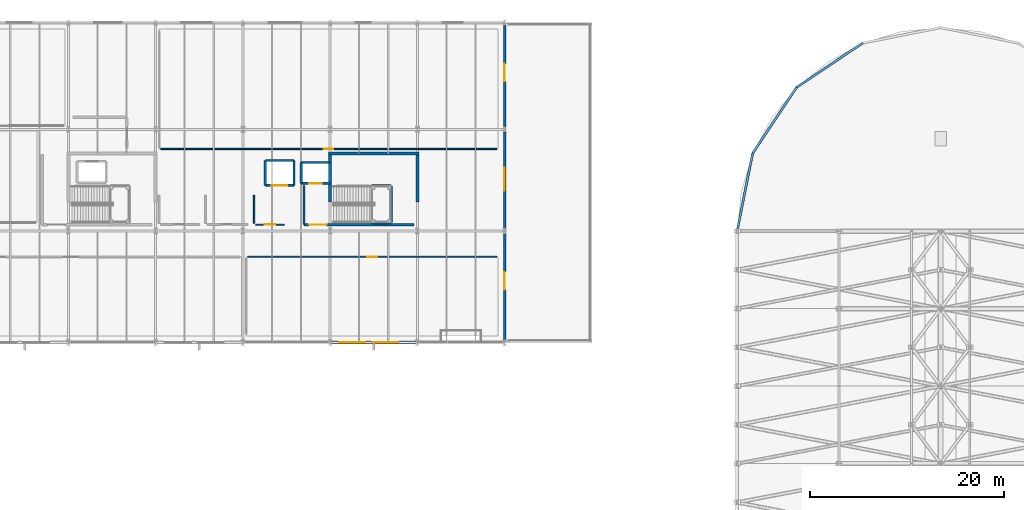
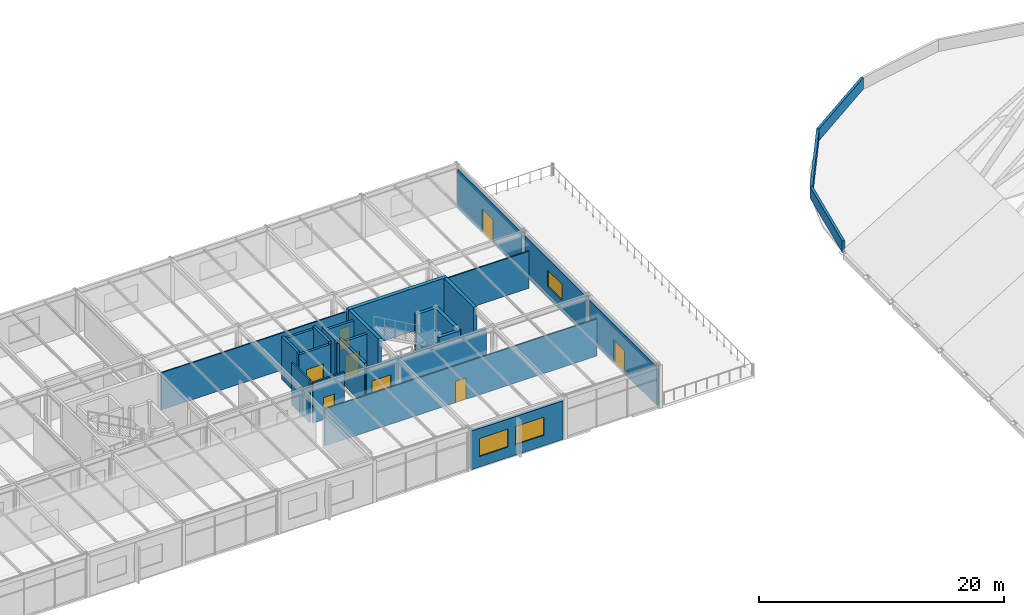
# One storey, part 19 of 44: 26 walls, 8 doors, 3 windows, 11 openings.
"""IFC4 building model written with IfcOpenShell, lengths in metres."""

from ifc_helpers import new_model, si_unit, direction, frame, frame_2d, origin, place, context, subcontext, project, spatial, rectangle, extrude, material, layer, layer_set, type_object, element, fill, save


model = new_model("IFC4")

# Units and contexts
model_context = context("Model", 3, precision=1e-05, world=origin(), true_north=direction((0.0, 1.0)))
body_context = subcontext(model_context, "Body", "Model", "MODEL_VIEW")
ifc_project = project(units=[si_unit("LENGTHUNIT", "METRE"), si_unit("AREAUNIT", "SQUARE_METRE"), si_unit("VOLUMEUNIT", "CUBIC_METRE"), si_unit("PLANEANGLEUNIT", "RADIAN"), si_unit("MASSUNIT", "GRAM", prefix="KILO")], contexts=[model_context])

# Site, building, storey
site_placement = place(None, origin())
site = spatial("IfcSite", under=ifc_project, at=site_placement, CompositionType="ELEMENT")
building_placement = place(site_placement, origin())
building = spatial("IfcBuilding", under=site, at=building_placement, Name="Marlcrest Central Station", CompositionType="ELEMENT")
storey_placement = place(building_placement, frame((0.0, 0.0, 19.5)))
storey = spatial("IfcBuildingStorey", under=building, at=storey_placement, Name="L04", CompositionType="ELEMENT", Elevation=19.5)

# Walls
ifc_material_1 = material(Name="Precast concrete C40/50", Category="concrete")
ifc_layer_1 = layer(ifc_material_1, 0.22998046875, Name="EP-02")
ifc_layer_set_1 = layer_set([ifc_layer_1], Name="Precast concrete C40/50")
wall_type_1 = type_object("IfcWallType", Name="EP-02", PredefinedType="PARAPET", material=ifc_layer_set_1)
wall_1_placement = place(storey_placement, frame((87.0, 110.5, 0.0), z_axis=(0.0, 0.0, 1.0), x_axis=(0.19517056122, 0.980769316421, 0.0)))
element("IfcWall", 1, at=wall_1_placement, inside=storey, type_object=wall_type_1, Name="ewall-L04-0023", PredefinedType="PARAPET", context=body_context, shape_type="SweptSolid", body=[
    extrude(rectangle(XDim=8.193359375, YDim=0.22998046875, at=frame_2d((4.0966796875, 0.0))), origin(), (0.0, 0.0, 1.0), 1.14990234375),
])
for number, where, z_axis, x_axis, name in (
    (2, (88.59912109375, 118.535888671875, 0.0), (0.0, 0.0, 1.0), (0.55551129271, 0.831508991937, 0.0), "ewall-L04-0024"),
    (3, (93.15087890625, 125.34912109375, 0.0), (0.0, 0.0, 1.0), (0.831508991937, 0.55551129271, 0.0), "ewall-L04-0025"),
):
    element("IfcWall", number, at=place(storey_placement, frame(where, z_axis=z_axis, x_axis=x_axis)), inside=storey, type_object=wall_type_1, Name=name, PredefinedType="PARAPET", context=body_context, shape_type="SweptSolid", body=[
        extrude(rectangle(XDim=8.19384765625, YDim=0.22998046875, at=frame_2d((4.096923828125, 0.0))), origin(), (0.0, 0.0, 1.0), 1.14990234375),
    ])

# Wall, openings, windows
ifc_layer_2 = layer(ifc_material_1, 0.260009765625, Name="EW-03")
ifc_layer_set_2 = layer_set([ifc_layer_2], Name="Precast concrete C40/50")
wall_type_2 = type_object("IfcWallType", Name="EW-03", PredefinedType="SOLIDWALL", material=ifc_layer_set_2)
wall_2_placement = place(storey_placement, frame((53.85009765625, 99.0, 0.0), z_axis=(0.0, 0.0, 1.0), x_axis=(-1.0, 0.0, 0.0)))
wall_2 = element("IfcWall", 4, at=wall_2_placement, inside=storey, type_object=wall_type_2, Name="ewall-L04-0177", PredefinedType="SOLIDWALL", context=body_context, shape_type="SweptSolid", body=[
    extrude(rectangle(XDim=8.7001953125, YDim=0.260009765625, at=frame_2d((4.35009765625, 0.0))), origin(), (0.0, 0.0, 1.0), 3.85009765625),
])
opening_1_placement = place(wall_2_placement, frame((1.800048828125, 0.0, 1.050048828125)))
opening_1 = element("IfcOpeningElement", 5, at=opening_1_placement, cuts=wall_2, Name="Opening WN-06", PredefinedType="OPENING", context=body_context, shape_type="SweptSolid", body=[
    extrude(rectangle(XDim=2.699951171875, YDim=1.800048828125, at=frame_2d((1.35009765625, 0.89990234375))), frame((0.0, 0.139892578125, 0.0), z_axis=(0.0, -1.0, 0.0), x_axis=(1.0, 0.0, 0.0)), (0.0, 0.0, 1.0), 0.280029296875),
])
opening_2_placement = place(wall_2_placement, frame((5.199951171875, 0.0, 1.050048828125)))
opening_2 = element("IfcOpeningElement", 6, at=opening_2_placement, cuts=wall_2, Name="Opening WN-06", PredefinedType="OPENING", context=body_context, shape_type="SweptSolid", body=[
    extrude(rectangle(XDim=2.699951171875, YDim=1.800048828125, at=frame_2d((1.35009765625, 0.89990234375))), frame((0.0, 0.139892578125, 0.0), z_axis=(0.0, -1.0, 0.0), x_axis=(1.0, 0.0, 0.0)), (0.0, 0.0, 1.0), 0.280029296875),
])
ifc_material_2 = material(Name="Thermally broken bronze-anodised aluminium and laminated low-E glass", Category="aluminium")
window_type_1 = type_object("IfcWindowType", Name="WN-06", PartitioningType="SINGLE_PANEL", PredefinedType="WINDOW", material=ifc_material_2)
window_1_placement = place(opening_1_placement, origin())
window_1 = element("IfcWindow", 7, at=window_1_placement, inside=storey, type_object=window_type_1, Name="ewin-L04-0142", OverallHeight=1.800048828125, OverallWidth=2.699951171875, PartitioningType="SINGLE_PANEL", PredefinedType="WINDOW", context=body_context, shape_type="SweptSolid", body=[
    extrude(rectangle(XDim=2.699951171875, YDim=1.800048828125, at=frame_2d((1.35009765625, 0.89990234375))), frame((0.0, 0.030029296875, 0.0), z_axis=(0.0, -1.0, 0.0), x_axis=(1.0, 0.0, 0.0)), (0.0, 0.0, 1.0), 0.06005859375),
])
fill(opening_1, window_1)
window_2_placement = place(opening_2_placement, origin())
window_2 = element("IfcWindow", 8, at=window_2_placement, inside=storey, type_object=window_type_1, Name="ewin-L04-0143", OverallHeight=1.800048828125, OverallWidth=2.699951171875, PartitioningType="SINGLE_PANEL", PredefinedType="WINDOW", context=body_context, shape_type="SweptSolid", body=[
    extrude(rectangle(XDim=2.699951171875, YDim=1.800048828125, at=frame_2d((1.35009765625, 0.89990234375))), frame((0.0, 0.030029296875, 0.0), z_axis=(0.0, -1.0, 0.0), x_axis=(1.0, 0.0, 0.0)), (0.0, 0.0, 1.0), 0.06005859375),
])
fill(opening_2, window_2)

# Wall, opening, door
wall_3_placement = place(storey_placement, frame((63.0, 110.22509765625, 0.0), z_axis=(0.0, 0.0, 1.0), x_axis=(0.0, -1.0, 0.0)))
wall_3 = element("IfcWall", 9, at=wall_3_placement, inside=storey, type_object=wall_type_2, Name="ewall-L04-0183", PredefinedType="SOLIDWALL", context=body_context, shape_type="SweptSolid", body=[
    extrude(rectangle(XDim=10.9501953125, YDim=0.260009765625, at=frame_2d((5.47509765625, 0.0))), origin(), (0.0, 0.0, 1.0), 3.85009765625),
])
opening_3_placement = place(wall_3_placement, frame((3.97509765625, 0.0, 0.0)))
opening_3 = element("IfcOpeningElement", 10, at=opening_3_placement, cuts=wall_3, Name="Opening ED-03", PredefinedType="OPENING", context=body_context, shape_type="SweptSolid", body=[
    extrude(rectangle(XDim=1.800048828125, YDim=2.300048828125, at=frame_2d((0.89990234375, 1.14990234375))), frame((0.0, 0.139892578125, 0.0), z_axis=(0.0, -1.0, 0.0), x_axis=(1.0, 0.0, 0.0)), (0.0, 0.0, 1.0), 0.280029296875),
])
ifc_material_3 = material(Name="Thermally broken anodised aluminium and laminated safety glass", Category="aluminium")
door_type_1 = type_object("IfcDoorType", Name="ED-03", OperationType="DOUBLE_DOOR_SINGLE_SWING", PredefinedType="DOOR", material=ifc_material_3)
door_1_placement = place(opening_3_placement, origin())
door_1 = element("IfcDoor", 11, at=door_1_placement, inside=storey, type_object=door_type_1, Name="Viewing Setback Terrace Door 043", OperationType="DOUBLE_DOOR_SINGLE_SWING", OverallHeight=2.300048828125, OverallWidth=1.800048828125, PredefinedType="DOOR", context=body_context, shape_type="SweptSolid", body=[
    extrude(rectangle(XDim=1.800048828125, YDim=2.300048828125, at=frame_2d((0.89990234375, 1.14990234375))), frame((0.0, 0.02490234375, 0.0), z_axis=(0.0, -1.0, 0.0), x_axis=(1.0, 0.0, 0.0)), (0.0, 0.0, 1.0), 0.050048828125),
])
fill(opening_3, door_1)

# Wall, opening, window
wall_4_placement = place(storey_placement, frame((63.0, 120.72509765625, 0.0), z_axis=(0.0, 0.0, 1.0), x_axis=(0.0, -1.0, 0.0)))
wall_4 = element("IfcWall", 12, at=wall_4_placement, inside=storey, type_object=wall_type_2, Name="ewall-L04-0184", PredefinedType="SOLIDWALL", context=body_context, shape_type="SweptSolid", body=[
    extrude(rectangle(XDim=9.9501953125, YDim=0.260009765625, at=frame_2d((4.97509765625, 0.0))), origin(), (0.0, 0.0, 1.0), 3.85009765625),
])
opening_4_placement = place(wall_4_placement, frame((3.675048828125, 0.0, 1.10009765625)))
opening_4 = element("IfcOpeningElement", 13, at=opening_4_placement, cuts=wall_4, Name="Opening WN-02", PredefinedType="OPENING", context=body_context, shape_type="SweptSolid", body=[
    extrude(rectangle(XDim=2.39990234375, YDim=1.60009765625, at=frame_2d((1.199951171875, 0.800048828125))), frame((0.0, 0.139892578125, 0.0), z_axis=(0.0, -1.0, 0.0), x_axis=(1.0, 0.0, 0.0)), (0.0, 0.0, 1.0), 0.280029296875),
])
window_type_2 = type_object("IfcWindowType", Name="WN-02", PartitioningType="SINGLE_PANEL", PredefinedType="WINDOW", material=ifc_material_2)
window_3_placement = place(opening_4_placement, origin())
window_3 = element("IfcWindow", 14, at=window_3_placement, inside=storey, type_object=window_type_2, Name="ewin-L04-0148", OverallHeight=1.60009765625, OverallWidth=2.39990234375, PartitioningType="SINGLE_PANEL", PredefinedType="WINDOW", context=body_context, shape_type="SweptSolid", body=[
    extrude(rectangle(XDim=2.39990234375, YDim=1.60009765625, at=frame_2d((1.199951171875, 0.800048828125))), frame((0.0, 0.030029296875, 0.0), z_axis=(0.0, -1.0, 0.0), x_axis=(1.0, 0.0, 0.0)), (0.0, 0.0, 1.0), 0.06005859375),
])
fill(opening_4, window_3)

# Wall, opening, door
wall_5_placement = place(storey_placement, frame((63.0, 131.72509765625, 0.0), z_axis=(0.0, 0.0, 1.0), x_axis=(0.0, -1.0, 0.0)))
wall_5 = element("IfcWall", 15, at=wall_5_placement, inside=storey, type_object=wall_type_2, Name="ewall-L04-0185", PredefinedType="SOLIDWALL", context=body_context, shape_type="SweptSolid", body=[
    extrude(rectangle(XDim=10.4501953125, YDim=0.260009765625, at=frame_2d((5.22509765625, 0.0))), origin(), (0.0, 0.0, 1.0), 3.85009765625),
])
opening_5_placement = place(wall_5_placement, frame((3.97509765625, 0.0, 0.0)))
opening_5 = element("IfcOpeningElement", 16, at=opening_5_placement, cuts=wall_5, Name="Opening ED-03", PredefinedType="OPENING", context=body_context, shape_type="SweptSolid", body=[
    extrude(rectangle(XDim=1.800048828125, YDim=2.300048828125, at=frame_2d((0.89990234375, 1.14990234375))), frame((0.0, 0.139892578125, 0.0), z_axis=(0.0, -1.0, 0.0), x_axis=(1.0, 0.0, 0.0)), (0.0, 0.0, 1.0), 0.280029296875),
])
door_2_placement = place(opening_5_placement, origin())
door_2 = element("IfcDoor", 17, at=door_2_placement, inside=storey, type_object=door_type_1, Name="Viewing Setback Terrace Door 044", OperationType="DOUBLE_DOOR_SINGLE_SWING", OverallHeight=2.300048828125, OverallWidth=1.800048828125, PredefinedType="DOOR", context=body_context, shape_type="SweptSolid", body=[
    extrude(rectangle(XDim=1.800048828125, YDim=2.300048828125, at=frame_2d((0.89990234375, 1.14990234375))), frame((0.0, 0.02490234375, 0.0), z_axis=(0.0, -1.0, 0.0), x_axis=(1.0, 0.0, 0.0)), (0.0, 0.0, 1.0), 0.050048828125),
])
fill(opening_5, door_2)

ifc_material_4 = material(Name="Acoustic steel-stud gypsum board partition", Category="steel")
ifc_layer_3 = layer(ifc_material_4, 0.1201171875, Name="PT-01")
ifc_layer_set_3 = layer_set([ifc_layer_3], Name="Acoustic steel-stud gypsum board partition")
wall_type_3 = type_object("IfcWallType", Name="PT-01", PredefinedType="PARTITIONING", material=ifc_layer_set_3)
wall_6_placement = place(storey_placement, frame((36.510009765625, 107.840087890625, 0.0), z_axis=(0.0, 0.0, 1.0), x_axis=(1.0, 0.0, 0.0)))
wall_6 = element("IfcWall", 18, at=wall_6_placement, inside=storey, type_object=wall_type_3, Name="iwall-L04-00193", PredefinedType="PARTITIONING", context=body_context, shape_type="SweptSolid", body=[
    extrude(rectangle(XDim=25.679931640625, YDim=0.1201171875, at=frame_2d((12.83984375, 0.0))), origin(), (0.0, 0.0, 1.0), 3.695068359375),
])
opening_6_placement = place(wall_6_placement, frame((12.340087890625, 0.0, 0.0)))
opening_6 = element("IfcOpeningElement", 19, at=opening_6_placement, cuts=wall_6, Name="Opening ID-02", PredefinedType="OPENING", context=body_context, shape_type="SweptSolid", body=[
    extrude(rectangle(XDim=1.0, YDim=2.14990234375, at=frame_2d((0.5, 1.074951171875))), frame((0.0, 0.070068359375, 0.0), z_axis=(0.0, -1.0, 0.0), x_axis=(1.0, 0.0, 0.0)), (0.0, 0.0, 1.0), 0.14013671875),
])
ifc_material_5 = material(Name="Solid-core hardwood office door", Category="wood")
door_type_2 = type_object("IfcDoorType", Name="ID-02", OperationType="NOTDEFINED", PredefinedType="DOOR", material=ifc_material_5)
door_3_placement = place(opening_6_placement, origin())
door_3 = element("IfcDoor", 20, at=door_3_placement, inside=storey, type_object=door_type_2, Name="L04-V5B 0109", OperationType="SINGLE_SWING_LEFT", OverallHeight=2.14990234375, OverallWidth=1.0, PredefinedType="DOOR", context=body_context, shape_type="SweptSolid", body=[
    extrude(rectangle(XDim=1.0, YDim=2.14990234375, at=frame_2d((0.5, 1.074951171875))), frame((0.0, 0.02490234375, 0.0), z_axis=(0.0, -1.0, 0.0), x_axis=(1.0, 0.0, 0.0)), (0.0, 0.0, 1.0), 0.050048828125),
])
fill(opening_6, door_3)

wall_7_placement = place(storey_placement, frame((62.18994140625, 118.9599609375, 0.0), z_axis=(0.0, 0.0, 1.0), x_axis=(-1.0, 0.0, 0.0)))
wall_7 = element("IfcWall", 21, at=wall_7_placement, inside=storey, type_object=wall_type_3, Name="iwall-L04-00197", PredefinedType="PARTITIONING", context=body_context, shape_type="SweptSolid", body=[
    extrude(rectangle(XDim=34.679931640625, YDim=0.1201171875, at=frame_2d((17.33984375, 0.0))), origin(), (0.0, 0.0, 1.0), 3.695068359375),
])
opening_7_placement = place(wall_7_placement, frame((16.840087890625, 0.0, 0.0)))
opening_7 = element("IfcOpeningElement", 22, at=opening_7_placement, cuts=wall_7, Name="Opening ID-02", PredefinedType="OPENING", context=body_context, shape_type="SweptSolid", body=[
    extrude(rectangle(XDim=1.0, YDim=2.14990234375, at=frame_2d((0.5, 1.074951171875))), frame((0.0, 0.070068359375, 0.0), z_axis=(0.0, -1.0, 0.0), x_axis=(1.0, 0.0, 0.0)), (0.0, 0.0, 1.0), 0.14013671875),
])
door_4_placement = place(opening_7_placement, origin())
door_4 = element("IfcDoor", 23, at=door_4_placement, inside=storey, type_object=door_type_2, Name="L04-V5F 0112", OperationType="SINGLE_SWING_RIGHT", OverallHeight=2.14990234375, OverallWidth=1.0, PredefinedType="DOOR", context=body_context, shape_type="SweptSolid", body=[
    extrude(rectangle(XDim=1.0, YDim=2.14990234375, at=frame_2d((0.5, 1.074951171875))), frame((0.0, 0.02490234375, 0.0), z_axis=(0.0, -1.0, 0.0), x_axis=(1.0, 0.0, 0.0)), (0.0, 0.0, 1.0), 0.050048828125),
])
fill(opening_7, door_4)

ifc_material_6 = material(Name="Moisture-resistant tiled sanitary partition")
ifc_layer_4 = layer(ifc_material_6, 0.159912109375, Name="PT-03")
ifc_layer_set_4 = layer_set([ifc_layer_4], Name="Moisture-resistant tiled sanitary partition")
wall_type_4 = type_object("IfcWallType", Name="PT-03", PredefinedType="PARTITIONING", material=ifc_layer_set_4)
wall_8_placement = place(storey_placement, frame((40.2900390625, 111.159912109375, 0.0), z_axis=(0.0, 0.0, 1.0), x_axis=(-1.0, 0.0, 0.0)))
wall_8 = element("IfcWall", 24, at=wall_8_placement, inside=storey, type_object=wall_type_4, Name="iwall-L04-00205", PredefinedType="PARTITIONING", context=body_context, shape_type="SweptSolid", body=[
    extrude(rectangle(XDim=2.97998046875, YDim=0.159912109375, at=frame_2d((1.489990234375, 0.0))), origin(), (0.0, 0.0, 1.0), 4.02490234375),
])
opening_8_placement = place(wall_8_placement, frame((0.965087890625, 0.0, 0.0)))
opening_8 = element("IfcOpeningElement", 25, at=opening_8_placement, cuts=wall_8, Name="Opening ID-03", PredefinedType="OPENING", context=body_context, shape_type="SweptSolid", body=[
    extrude(rectangle(XDim=1.050048828125, YDim=2.199951171875, at=frame_2d((0.52490234375, 1.10009765625))), frame((0.0, 0.08984375, 0.0), z_axis=(0.0, -1.0, 0.0), x_axis=(1.0, 0.0, 0.0)), (0.0, 0.0, 1.0), 0.179931640625),
])
ifc_material_7 = material(Name="Accessible sanitary outward-opening door")
door_type_3 = type_object("IfcDoorType", Name="ID-03", OperationType="NOTDEFINED", PredefinedType="DOOR", material=ifc_material_7)
door_5_placement = place(opening_8_placement, origin())
door_5 = element("IfcDoor", 26, at=door_5_placement, inside=storey, type_object=door_type_3, Name="L04-WC-WA 0116", OperationType="SINGLE_SWING_RIGHT", OverallHeight=2.199951171875, OverallWidth=1.050048828125, PredefinedType="DOOR", context=body_context, shape_type="SweptSolid", body=[
    extrude(rectangle(XDim=1.050048828125, YDim=2.199951171875, at=frame_2d((0.52490234375, 1.10009765625))), frame((0.0, 0.02490234375, 0.0), z_axis=(0.0, -1.0, 0.0), x_axis=(1.0, 0.0, 0.0)), (0.0, 0.0, 1.0), 0.050048828125),
])
fill(opening_8, door_5)

# Walls
wall_9_placement = place(storey_placement, frame((37.159912109375, 111.31005859375, 0.0), z_axis=(0.0, 0.0, 1.0), x_axis=(0.0, 1.0, 0.0)))
element("IfcWall", 27, at=wall_9_placement, inside=storey, type_object=wall_type_4, Name="iwall-L04-00206", PredefinedType="PARTITIONING", context=body_context, shape_type="SweptSolid", body=[
    extrude(rectangle(XDim=2.8798828125, YDim=0.159912109375, at=frame_2d((1.43994140625, 0.0))), origin(), (0.0, 0.0, 1.0), 4.25),
])
ifc_material_8 = material(Name="Concrete C40/50", Category="concrete")
ifc_layer_5 = layer(ifc_material_8, 0.22998046875, Name="SHW-01")
ifc_layer_set_5 = layer_set([ifc_layer_5], Name="Concrete C40/50")
wall_type_5 = type_object("IfcWallType", Name="SHW-01", PredefinedType="SOLIDWALL", material=ifc_layer_set_5)
wall_10_placement = place(storey_placement, frame((42.02001953125, 117.580078125, 0.0), z_axis=(0.0, 0.0, 1.0), x_axis=(1.0, 0.0, 0.0)))
element("IfcWall", 28, at=wall_10_placement, inside=storey, type_object=wall_type_5, Name="iwall-L04-00386", PredefinedType="SOLIDWALL", context=body_context, shape_type="SweptSolid", body=[
    extrude(rectangle(XDim=2.9599609375, YDim=0.22998046875, at=frame_2d((1.47998046875, 0.0))), origin(), (0.0, 0.0, 1.0), 3.695068359375),
])

# Wall, opening, door
wall_11_placement = place(storey_placement, frame((44.97998046875, 115.419921875, 0.0), z_axis=(0.0, 0.0, 1.0), x_axis=(-1.0, 0.0, 0.0)))
wall_11 = element("IfcWall", 29, at=wall_11_placement, inside=storey, type_object=wall_type_5, Name="iwall-L04-00387", PredefinedType="SOLIDWALL", context=body_context, shape_type="SweptSolid", body=[
    extrude(rectangle(XDim=2.9599609375, YDim=0.22998046875, at=frame_2d((1.47998046875, 0.0))), origin(), (0.0, 0.0, 1.0), 3.695068359375),
])
opening_9_placement = place(wall_11_placement, frame((0.85498046875, 0.0, 0.0)))
opening_9 = element("IfcOpeningElement", 30, at=opening_9_placement, cuts=wall_11, Name="Opening LD-02", PredefinedType="OPENING", context=body_context, shape_type="SweptSolid", body=[
    extrude(rectangle(XDim=1.25, YDim=2.199951171875, at=frame_2d((0.625, 1.10009765625))), frame((0.0, 0.125, 0.0), z_axis=(0.0, -1.0, 0.0), x_axis=(1.0, 0.0, 0.0)), (0.0, 0.0, 1.0), 0.25),
])
ifc_material_9 = material(Name="Stainless steel stretcher/firefighting lift landing door", Category="steel")
door_type_4 = type_object("IfcDoorType", Name="LD-02", OperationType="DOUBLE_DOOR_SLIDING", PredefinedType="DOOR", material=ifc_material_9)
door_6_placement = place(opening_9_placement, origin())
door_6 = element("IfcDoor", 31, at=door_6_placement, inside=storey, type_object=door_type_4, Name="LF-O1 Lift Landing Door 0168", OperationType="DOUBLE_DOOR_SLIDING", OverallHeight=2.199951171875, OverallWidth=1.25, PredefinedType="DOOR", context=body_context, shape_type="SweptSolid", body=[
    extrude(rectangle(XDim=1.25, YDim=2.199951171875, at=frame_2d((0.625, 1.10009765625))), frame((0.0, 0.02490234375, 0.0), z_axis=(0.0, -1.0, 0.0), x_axis=(1.0, 0.0, 0.0)), (0.0, 0.0, 1.0), 0.050048828125),
])
fill(opening_9, door_6)

# Walls
wall_12_placement = place(storey_placement, frame((42.02001953125, 115.419921875, 0.0), z_axis=(0.0, 0.0, 1.0), x_axis=(0.0, 1.0, 0.0)))
element("IfcWall", 32, at=wall_12_placement, inside=storey, type_object=wall_type_5, Name="iwall-L04-00388", PredefinedType="SOLIDWALL", context=body_context, shape_type="SweptSolid", body=[
    extrude(rectangle(XDim=2.16015625, YDim=0.22998046875, at=frame_2d((1.080078125, 0.0))), origin(), (0.0, 0.0, 1.0), 4.02490234375),
])
wall_13_placement = place(storey_placement, frame((38.320068359375, 117.780029296875, 0.0), z_axis=(0.0, 0.0, 1.0), x_axis=(1.0, 0.0, 0.0)))
element("IfcWall", 33, at=wall_13_placement, inside=storey, type_object=wall_type_5, Name="iwall-L04-00412", PredefinedType="SOLIDWALL", context=body_context, shape_type="SweptSolid", body=[
    extrude(rectangle(XDim=2.9599609375, YDim=0.22998046875, at=frame_2d((1.47998046875, 0.0))), origin(), (0.0, 0.0, 1.0), 4.02490234375),
])

# Wall, opening, door
wall_14_placement = place(storey_placement, frame((41.280029296875, 115.219970703125, 0.0), z_axis=(0.0, 0.0, 1.0), x_axis=(-1.0, 0.0, 0.0)))
wall_14 = element("IfcWall", 34, at=wall_14_placement, inside=storey, type_object=wall_type_5, Name="iwall-L04-00413", PredefinedType="SOLIDWALL", context=body_context, shape_type="SweptSolid", body=[
    extrude(rectangle(XDim=2.9599609375, YDim=0.22998046875, at=frame_2d((1.47998046875, 0.0))), origin(), (0.0, 0.0, 1.0), 4.02490234375),
])
opening_10_placement = place(wall_14_placement, frame((0.679931640625, 0.0, 0.0)))
opening_10 = element("IfcOpeningElement", 35, at=opening_10_placement, cuts=wall_14, Name="Opening LD-03", PredefinedType="OPENING", context=body_context, shape_type="SweptSolid", body=[
    extrude(rectangle(XDim=1.60009765625, YDim=2.300048828125, at=frame_2d((0.800048828125, 1.14990234375))), frame((0.0, 0.125, 0.0), z_axis=(0.0, -1.0, 0.0), x_axis=(1.0, 0.0, 0.0)), (0.0, 0.0, 1.0), 0.25),
])
ifc_material_10 = material(Name="Heavy-duty goods lift sliding landing door")
door_type_5 = type_object("IfcDoorType", Name="LD-03", OperationType="DOUBLE_DOOR_SLIDING", PredefinedType="DOOR", material=ifc_material_10)
door_7_placement = place(opening_10_placement, origin())
door_7 = element("IfcDoor", 36, at=door_7_placement, inside=storey, type_object=door_type_5, Name="LF-G1 Lift Landing Door 0175", OperationType="DOUBLE_DOOR_SLIDING", OverallHeight=2.300048828125, OverallWidth=1.60009765625, PredefinedType="DOOR", context=body_context, shape_type="SweptSolid", body=[
    extrude(rectangle(XDim=1.60009765625, YDim=2.300048828125, at=frame_2d((0.800048828125, 1.14990234375))), frame((0.0, 0.02490234375, 0.0), z_axis=(0.0, -1.0, 0.0), x_axis=(1.0, 0.0, 0.0)), (0.0, 0.0, 1.0), 0.050048828125),
])
fill(opening_10, door_7)

# Walls
for number, where, z_axis, x_axis, name in (
    (37, (38.320068359375, 115.219970703125, 0.0), (0.0, 0.0, 1.0), (0.0, 1.0, 0.0), "iwall-L04-00414"),
    (38, (41.280029296875, 117.780029296875, 0.0), (0.0, 0.0, 1.0), (0.0, -1.0, 0.0), "iwall-L04-00415"),
):
    element("IfcWall", number, at=place(storey_placement, frame(where, z_axis=z_axis, x_axis=x_axis)), inside=storey, type_object=wall_type_5, Name=name, PredefinedType="SOLIDWALL", context=body_context, shape_type="SweptSolid", body=[
        extrude(rectangle(XDim=2.56005859375, YDim=0.22998046875, at=frame_2d((1.280029296875, 0.0))), origin(), (0.0, 0.0, 1.0), 4.260009765625),
    ])

# Wall, opening, door
wall_15_placement = place(storey_placement, frame((42.300048828125, 111.14990234375, 0.0), z_axis=(0.0, 0.0, 1.0), x_axis=(1.0, 0.0, 0.0)))
wall_15 = element("IfcWall", 39, at=wall_15_placement, inside=storey, type_object=wall_type_5, Name="iwall-L04-00447", PredefinedType="SOLIDWALL", context=body_context, shape_type="SweptSolid", body=[
    extrude(rectangle(XDim=11.349853515625, YDim=0.22998046875, at=frame_2d((5.6748046875, 0.0))), origin(), (0.0, 0.0, 1.0), 3.695068359375),
])
opening_11_placement = place(wall_15_placement, frame((0.550048828125, 0.0, 0.0)))
opening_11 = element("IfcOpeningElement", 40, at=opening_11_placement, cuts=wall_15, Name="Opening FD-90D", PredefinedType="OPENING", context=body_context, shape_type="SweptSolid", body=[
    extrude(rectangle(XDim=1.800048828125, YDim=2.300048828125, at=frame_2d((0.89990234375, 1.14990234375))), frame((0.0, 0.125, 0.0), z_axis=(0.0, -1.0, 0.0), x_axis=(1.0, 0.0, 0.0)), (0.0, 0.0, 1.0), 0.25),
])
ifc_material_11 = material(Name="90-minute double exit-stair fire door")
door_type_6 = type_object("IfcDoorType", Name="FD-90D", OperationType="DOUBLE_DOOR_SINGLE_SWING", PredefinedType="DOOR", material=ifc_material_11)
door_8_placement = place(opening_11_placement, origin())
door_8 = element("IfcDoor", 41, at=door_8_placement, inside=storey, type_object=door_type_6, Name="ST-W24 Stair Door 0193", OperationType="DOUBLE_DOOR_SINGLE_SWING", OverallHeight=2.300048828125, OverallWidth=1.800048828125, PredefinedType="DOOR", context=body_context, shape_type="SweptSolid", body=[
    extrude(rectangle(XDim=1.800048828125, YDim=2.300048828125, at=frame_2d((0.89990234375, 1.14990234375))), frame((0.0, 0.02490234375, 0.0), z_axis=(0.0, -1.0, 0.0), x_axis=(1.0, 0.0, 0.0)), (0.0, 0.0, 1.0), 0.050048828125),
])
fill(opening_11, door_8)

# Walls
wall_16_placement = place(storey_placement, frame((42.300048828125, 111.14990234375, 0.0), z_axis=(0.0, 0.0, 1.0), x_axis=(0.0, 1.0, 0.0)))
element("IfcWall", 42, at=wall_16_placement, inside=storey, type_object=wall_type_5, Name="iwall-L04-00448", PredefinedType="SOLIDWALL", context=body_context, shape_type="SweptSolid", body=[
    extrude(rectangle(XDim=4.050048828125, YDim=0.22998046875, at=frame_2d((2.02490234375, 0.0))), origin(), (0.0, 0.0, 1.0), 4.25),
])
ifc_material_12 = material(Name="Concrete C50/60", Category="concrete")
ifc_layer_6 = layer(ifc_material_12, 0.35009765625, Name="SW-01")
ifc_layer_set_6 = layer_set([ifc_layer_6], Name="Concrete C50/60")
wall_type_6 = type_object("IfcWallType", Name="SW-01", PredefinedType="SHEAR", material=ifc_layer_set_6)
wall_17_placement = place(storey_placement, frame((44.85009765625, 118.5, 0.0), z_axis=(0.0, 0.0, 1.0), x_axis=(1.0, 0.0, 0.0)))
element("IfcWall", 43, at=wall_17_placement, inside=storey, type_object=wall_type_6, Name="swall-L04-0038", PredefinedType="SHEAR", context=body_context, shape_type="SweptSolid", body=[
    extrude(rectangle(XDim=9.2998046875, YDim=0.35009765625, at=frame_2d((4.64990234375, 0.0))), origin(), (0.0, 0.0, 1.0), 4.27490234375),
])
ifc_layer_7 = layer(ifc_material_12, 0.300048828125, Name="SW-02")
ifc_layer_set_7 = layer_set([ifc_layer_7], Name="Concrete C50/60")
wall_type_7 = type_object("IfcWallType", Name="SW-02", PredefinedType="SHEAR", material=ifc_layer_set_7)
for number, where, z_axis, x_axis, name in (
    (44, (45.0, 113.5, 0.0), (0.0, 0.0, 1.0), (0.0, 1.0, 0.0), "swall-L04-0039"),
    (45, (54.0, 113.5, 0.0), (0.0, 0.0, 1.0), (0.0, 1.0, 0.0), "swall-L04-0040"),
):
    element("IfcWall", number, at=place(storey_placement, frame(where, z_axis=z_axis, x_axis=x_axis)), inside=storey, type_object=wall_type_7, Name=name, PredefinedType="SHEAR", context=body_context, shape_type="SweptSolid", body=[
        extrude(rectangle(XDim=4.824951171875, YDim=0.300048828125, at=frame_2d((2.41259765625, 0.0))), origin(), (0.0, 0.0, 1.0), 4.27490234375),
    ])
wall_18_placement = place(storey_placement, frame((49.280029296875, 111.3701171875, 0.0), z_axis=(0.0, 0.0, 1.0), x_axis=(1.0, 0.0, 0.0)))
element("IfcWall", 46, at=wall_18_placement, inside=storey, type_object=wall_type_7, Name="htsw-0053-S", PredefinedType="SHEAR", context=body_context, shape_type="SweptSolid", body=[
    extrude(rectangle(XDim=2.0, YDim=0.300048828125, at=frame_2d((1.0, 0.0))), origin(), (0.0, 0.0, 1.0), 4.25),
])
wall_19_placement = place(storey_placement, frame((51.280029296875, 111.3701171875, 0.0), z_axis=(0.0, 0.0, 1.0), x_axis=(0.0, 1.0, 0.0)))
element("IfcWall", 47, at=wall_19_placement, inside=storey, type_object=wall_type_7, Name="htsw-0053-E", PredefinedType="SHEAR", context=body_context, shape_type="SweptSolid", body=[
    extrude(rectangle(XDim=3.759765625, YDim=0.300048828125, at=frame_2d((1.8798828125, 0.0))), origin(), (0.0, 0.0, 1.0), 4.25),
])
wall_20_placement = place(storey_placement, frame((51.280029296875, 115.1298828125, 0.0), z_axis=(0.0, 0.0, 1.0), x_axis=(-1.0, 0.0, 0.0)))
element("IfcWall", 48, at=wall_20_placement, inside=storey, type_object=wall_type_7, Name="htsw-0053-N", PredefinedType="SHEAR", context=body_context, shape_type="SweptSolid", body=[
    extrude(rectangle(XDim=2.0, YDim=0.300048828125, at=frame_2d((1.0, 0.0))), origin(), (0.0, 0.0, 1.0), 4.25),
])

save(model, "model.ifc")
